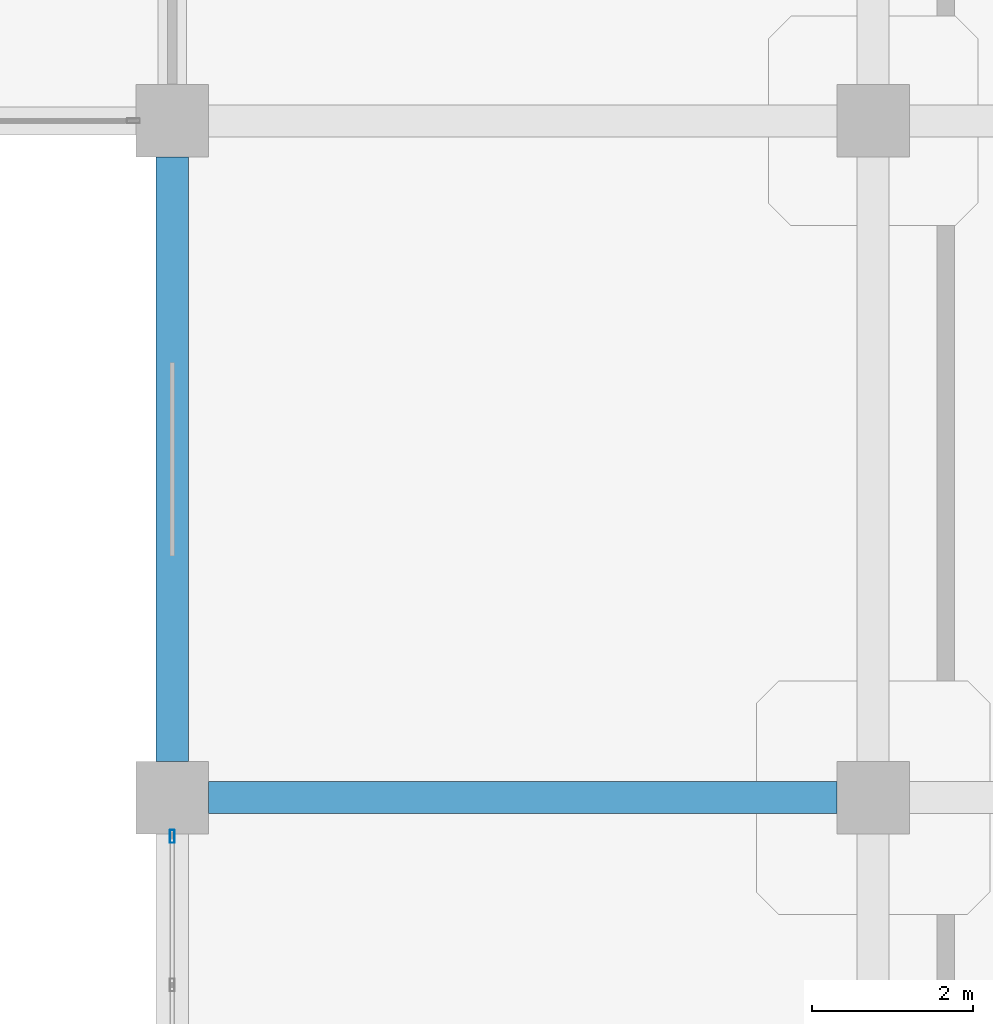
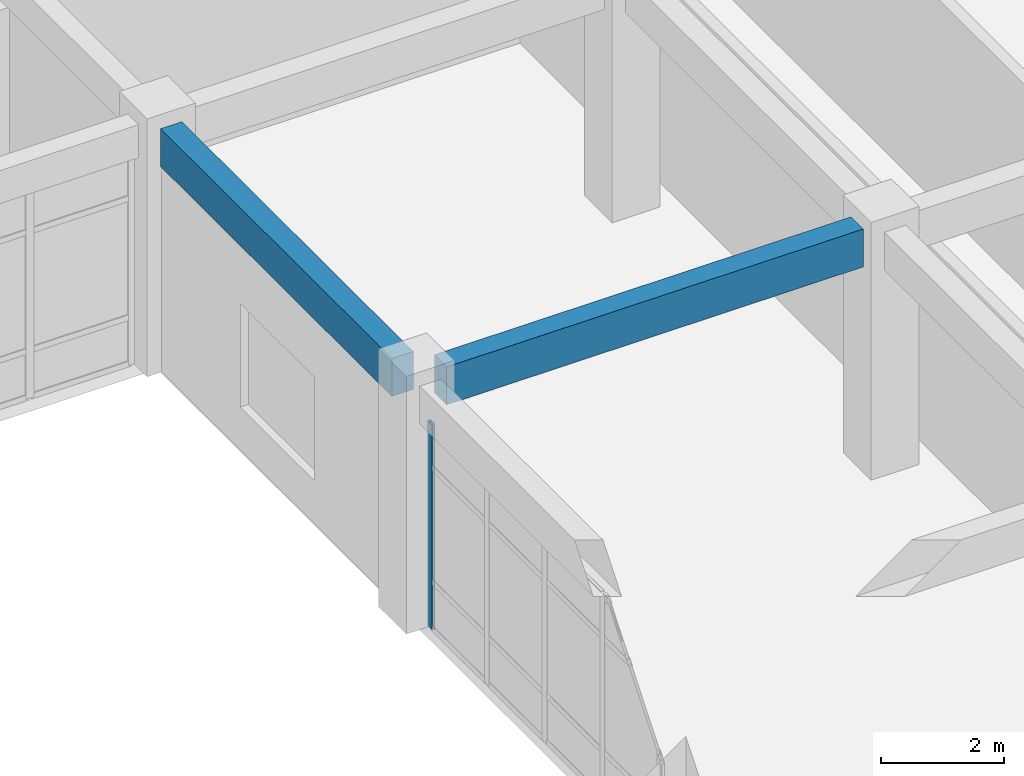
# One storey, part 41 of 120: 2 beams, 1 member, 1 element without a shape of its own.
"""IFC4 building model written with IfcOpenShell, lengths in metres."""

from ifc_helpers import new_model, si_unit, derived_unit, direction, frame, origin, origin_2d, place, context, subcontext, project, spatial, rectangle, hollow_rectangle, extrude, material, layer, layer_set, material_profile, profile_set, type_object, element, aggregate, save


model = new_model("IFC4")

# Units and contexts
model_context = context("Model", 3, precision=1e-05, world=origin(), true_north=direction((0.0, 1.0)))
body_context = subcontext(model_context, "Body", "Model", "MODEL_VIEW")
ifc_project = project(units=[si_unit("LENGTHUNIT", "METRE"), si_unit("AREAUNIT", "SQUARE_METRE"), si_unit("VOLUMEUNIT", "CUBIC_METRE"), si_unit("PLANEANGLEUNIT", "RADIAN"), si_unit("MASSUNIT", "GRAM", prefix="KILO"), derived_unit("THERMALTRANSMITTANCEUNIT", [(si_unit("MASSUNIT", "GRAM", prefix="KILO"), 1), (si_unit("TIMEUNIT", "SECOND"), -3), (si_unit("THERMODYNAMICTEMPERATUREUNIT", "KELVIN"), -1)])], contexts=[model_context])

# Site, building, storey
site_placement = place(None, origin())
site = spatial("IfcSite", under=ifc_project, at=site_placement, CompositionType="ELEMENT")
building_placement = place(site_placement, origin())
building = spatial("IfcBuilding", under=site, at=building_placement, Name="Qinzheling Arcade Emporium", CompositionType="ELEMENT")
storey_placement = place(building_placement, frame((0.0, 0.0, 11.39990234375)))
storey = spatial("IfcBuildingStorey", under=building, at=storey_placement, Name="L03", CompositionType="ELEMENT", Elevation=11.39990234375)

# Curtain wall, member
ifc_material_1 = material(Name="Anodised aluminium and solar-control double glazing", Category="aluminium")
ifc_layer = layer(ifc_material_1, 0.159912109375, Name="Anodised aluminium and solar-control double glazing", Category="aluminium")
ifc_layer_set = layer_set([ifc_layer], Name="Anodised aluminium and solar-control double glazing")
curtain_wall_type = type_object("IfcCurtainWallType", Name="Arcade Portal Glazed Curtain Wall", PredefinedType="NOTDEFINED", material=ifc_layer_set)
curtain_wall_placement = place(storey_placement, origin())
curtain_wall = element("IfcCurtainWall", 1, at=curtain_wall_placement, inside=storey, type_object=curtain_wall_type, Name="Curtain Wall CW-L03-141", PredefinedType="NOTDEFINED")
ifc_material_2 = material(Name="Anodised aluminium 6063-T6", Category="aluminium")
ifc_material_profile_1 = material_profile(ifc_material_2, hollow_rectangle(XDim=0.06005859375, YDim=0.159912109375, WallThickness=0.00390625, InnerFilletRadius=0.00390625, OuterFilletRadius=0.008056640625, at=origin_2d()), Name="RHS 160x60x4", Category="aluminium")
ifc_profile_set_1 = profile_set([ifc_material_profile_1], Name="Anodised aluminium 6063-T6")
member_type = type_object("IfcMemberType", Name="Curtain Wall Mullion RHS160x60", PredefinedType="MULLION", material=ifc_profile_set_1)
member_placement = place(storey_placement, frame((104.39990234375, 33.117919921875, 0.0), z_axis=(0.0, 0.0, 1.0), x_axis=(-1.0, 0.0, 0.0)))
member = element("IfcMember", 2, at=member_placement, type_object=member_type, Name="CW05 mullion 5", PredefinedType="MULLION", context=body_context, shape_type="SweptSolid", body=[
    extrude(hollow_rectangle(XDim=0.06005859375, YDim=0.159912109375, WallThickness=0.00390625, InnerFilletRadius=0.00390625, OuterFilletRadius=0.008056640625, at=origin_2d()), origin(), (0.0, 0.0, 1.0), 4.05517578125),
])
aggregate(curtain_wall, [member])

# Beams
ifc_material_3 = material(Name="Concrete C40", Category="concrete")
ifc_material_profile_2 = material_profile(ifc_material_3, rectangle(XDim=0.39990234375, YDim=0.75, at=origin_2d()), Name="RC 400x750", Category="concrete")
ifc_profile_set_2 = profile_set([ifc_material_profile_2], Name="Concrete C40")
beam_type = type_object("IfcBeamType", Name="RC Interior Tie Beam 400x750 C40", PredefinedType="BEAM", material=ifc_profile_set_2)
beam_1_placement = place(storey_placement, frame((104.85009765625, 33.60009765625, 4.445068359375), z_axis=(1.0, 0.0, 0.0), x_axis=(0.0, 1.0, 0.0)))
element("IfcBeam", 3, at=beam_1_placement, inside=storey, type_object=beam_type, Name="Beam BM-L03-X-E-13", PredefinedType="BEAM", context=body_context, shape_type="SweptSolid", body=[
    extrude(rectangle(XDim=0.39990234375, YDim=0.75, at=origin_2d()), origin(), (0.0, 0.0, 1.0), 7.7998046875),
])
beam_2_placement = place(storey_placement, frame((104.39990234375, 34.050048828125, 4.445068359375), z_axis=(0.0, 1.0, 0.0), x_axis=(-1.0, 0.0, 0.0)))
element("IfcBeam", 4, at=beam_2_placement, inside=storey, type_object=beam_type, Name="Beam BM-L03-Y-13-E", PredefinedType="BEAM", context=body_context, shape_type="SweptSolid", body=[
    extrude(rectangle(XDim=0.39990234375, YDim=0.75, at=origin_2d()), origin(), (0.0, 0.0, 1.0), 7.5),
])

save(model, "model.ifc")
